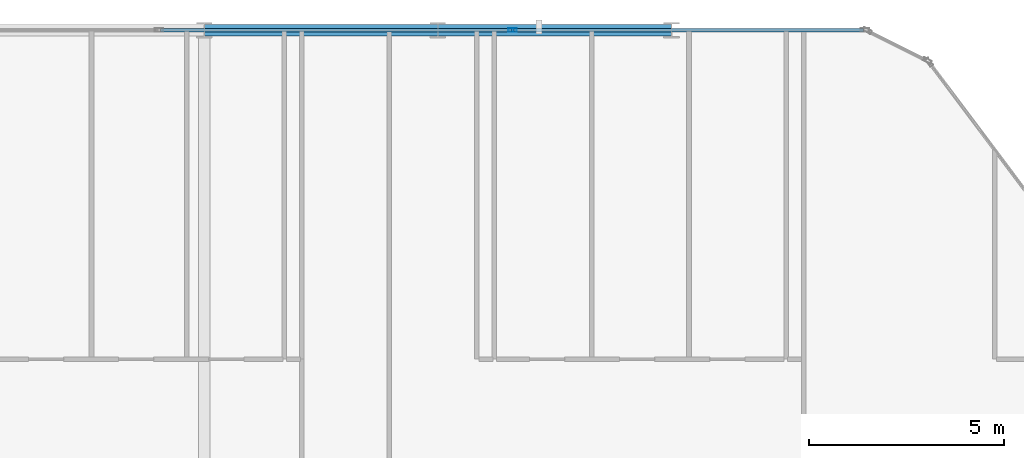
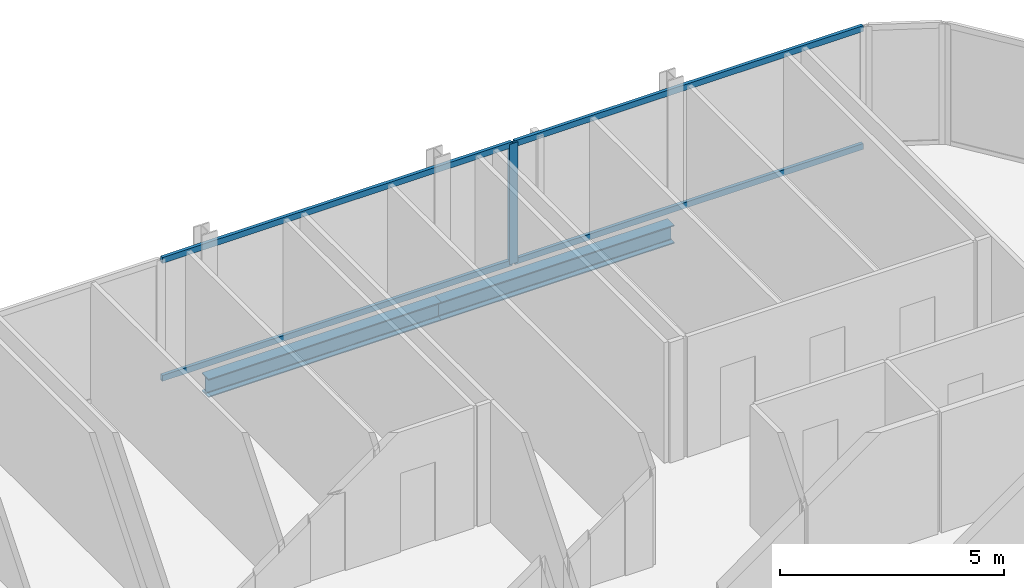
# One storey, part 16 of 34: 5 members, 2 beams, 1 element without a shape of its own.
"""IFC4 building model written with IfcOpenShell, lengths in metres."""

import ifcopenshell
import ifcopenshell.guid

model = None  # the IFC model being written
_history = None  # IfcOwnerHistory: only IFC2X3 demands one
_inside = {}  # id of a spatial element -> (the spatial element, [elements in it])
_under = {}  # id of a project, library or spatial element -> (it, [spatial elements below it])
_declared = {}  # id of a project -> (the project, [libraries it declares])
_typed = {}  # id of a type object -> (the type object, [elements of that type])
_made_of = {}  # id of a material, layer set ... -> (it, [elements and type objects made of it])


def new_model(schema):
    """Start an empty IFC model of exactly this schema.

    Asked for "IFC4X3", IfcOpenShell would pick the latest addendum, in which some entities
    have other attributes; the version numbers below select the first issue.
    IFC2X3 requires an IfcOwnerHistory on every rooted entity: one is made here for all.
    """
    global model, _history
    if schema == "IFC4X3":
        model = ifcopenshell.file(schema_version=(4, 3, 0, 0))
    else:
        model = ifcopenshell.file(schema=schema)
    _inside.clear()
    _under.clear()
    _declared.clear()
    _typed.clear()
    _made_of.clear()
    _history = None
    if model.schema == "IFC2X3":
        org = make("IfcOrganization", Name="unknown")
        user = make(
            "IfcPersonAndOrganization",
            ThePerson=make("IfcPerson", FamilyName="unknown"),
            TheOrganization=org,
        )
        app = make(
            "IfcApplication",
            ApplicationDeveloper=org,
            Version="unknown",
            ApplicationFullName="unknown",
            ApplicationIdentifier="unknown",
        )
        _history = make(
            "IfcOwnerHistory",
            OwningUser=user,
            OwningApplication=app,
            ChangeAction="ADDED",
            CreationDate=0,
        )
    return model


def make(cls, **values):
    """One entity of the class cls with the attributes given. An attribute that is None is left unset."""
    return model.create_entity(
        cls, **{name: value for name, value in values.items() if value is not None}
    )


def rooted(cls, **values):
    """An entity with a GlobalId (a new one), such as an element, a storey or a relation."""
    return make(cls, GlobalId=ifcopenshell.guid.new(), OwnerHistory=_history, **values)


def si_unit(unit_type, name, prefix=None):
    """IfcSIUnit, for example si_unit("LENGTHUNIT", "METRE", prefix="MILLI")."""
    return make("IfcSIUnit", UnitType=unit_type, Prefix=prefix, Name=name)


def assignment(units):
    """IfcUnitAssignment: the units of a project."""
    return None if units is None else make("IfcUnitAssignment", Units=units)


def point(xyz):
    """IfcCartesianPoint."""
    return None if xyz is None else make("IfcCartesianPoint", Coordinates=xyz)


def direction(xyz):
    """IfcDirection."""
    return None if xyz is None else make("IfcDirection", DirectionRatios=xyz)


def frame(location, z_axis=None, x_axis=None):
    """IfcAxis2Placement3D, a coordinate frame: its origin and axes. An axis left out is left unset."""
    return make(
        "IfcAxis2Placement3D",
        Location=point(location),
        Axis=direction(z_axis),
        RefDirection=direction(x_axis),
    )


def frame_2d(location, x_axis=None):
    """IfcAxis2Placement2D, a coordinate frame in the plane: its origin and x axis."""
    return make(
        "IfcAxis2Placement2D", Location=point(location), RefDirection=direction(x_axis)
    )


def origin():
    """The frame at (0, 0, 0) with its axes left unset."""
    return frame((0.0, 0.0, 0.0))


def origin_2d():
    """The frame at (0, 0) in the plane with its x axis left unset."""
    return frame_2d((0.0, 0.0))


def place(relative_to, where):
    """IfcLocalPlacement: puts the frame where relative to a parent placement (None: the world)."""
    return make(
        "IfcLocalPlacement", PlacementRelTo=relative_to, RelativePlacement=where
    )


def context(
    kind, dimensions, precision=None, world=None, true_north=None, identifier=None
):
    """IfcGeometricRepresentationContext, for example the 3D "Model" context."""
    return make(
        "IfcGeometricRepresentationContext",
        ContextIdentifier=identifier,
        ContextType=kind,
        CoordinateSpaceDimension=dimensions,
        Precision=precision,
        WorldCoordinateSystem=world,
        TrueNorth=true_north,
    )


def subcontext(parent, identifier, kind, view, scale=None):
    """IfcGeometricRepresentationSubContext, for example "Body" below "Model"."""
    return make(
        "IfcGeometricRepresentationSubContext",
        ContextIdentifier=identifier,
        ContextType=kind,
        ParentContext=parent,
        TargetScale=scale,
        TargetView=view,
    )


def project(units=None, contexts=None):
    """IfcProject with its units and contexts."""
    return rooted(
        "IfcProject",
        Name="project",
        RepresentationContexts=contexts,
        UnitsInContext=assignment(units),
    )


def spatial(cls, under=None, at=None, **own):
    """A site, building, storey or space (cls), placed at a placement, below another one or the project."""
    s = rooted(cls, ObjectPlacement=at, **own)
    if under is not None:
        _under.setdefault(under.id(), (under, []))[1].append(s)
    return s


def profile(cls, at=None, kind="AREA", **sizes):
    """A parametric profile (cls). Its sizes go by their IFC names, for example OverallWidth=200.0."""
    return make(cls, ProfileType=kind, Position=at, **sizes)


def hollow_rectangle(**sizes):
    """IfcRectangleHollowProfileDef."""
    return profile("IfcRectangleHollowProfileDef", **sizes)


def i_section(**sizes):
    """IfcIShapeProfileDef."""
    return profile("IfcIShapeProfileDef", **sizes)


def extrude(swept, where, along, depth):
    """IfcExtrudedAreaSolid: the profile swept, set in the frame where, extruded along a direction by depth."""
    return make(
        "IfcExtrudedAreaSolid",
        SweptArea=swept,
        Position=where,
        ExtrudedDirection=direction(along),
        Depth=depth,
    )


def shape(context_of_items, identifier, shape_type, items):
    """IfcShapeRepresentation: the items that make up one representation, for example the "Body"."""
    return make(
        "IfcShapeRepresentation",
        ContextOfItems=context_of_items,
        RepresentationIdentifier=identifier,
        RepresentationType=shape_type,
        Items=items,
    )


def material(Name=None, Category=None):
    """IfcMaterial."""
    return make("IfcMaterial", Name=Name, Category=Category)


def layer(
    of_material, thickness, ventilated=None, Name=None, Category=None, Priority=None
):
    """IfcMaterialLayer: one layer of a wall or slab, of a material (None: an air gap)."""
    return make(
        "IfcMaterialLayer",
        Material=of_material,
        LayerThickness=thickness,
        IsVentilated=ventilated,
        Name=Name,
        Category=Category,
        Priority=Priority,
    )


def layer_set(layers, Name=None):
    """IfcMaterialLayerSet."""
    return make("IfcMaterialLayerSet", MaterialLayers=layers, LayerSetName=Name)


def material_profile(
    of_material, cross_section, Name=None, Category=None, Priority=None
):
    """IfcMaterialProfile: a cross section and its material."""
    return make(
        "IfcMaterialProfile",
        Name=Name,
        Material=of_material,
        Profile=cross_section,
        Priority=Priority,
        Category=Category,
    )


def profile_set(profiles, Name=None, composite=None):
    """IfcMaterialProfileSet."""
    return make(
        "IfcMaterialProfileSet",
        Name=Name,
        MaterialProfiles=profiles,
        CompositeProfile=composite,
    )


def made_of(thing, what):
    """Note that an element or type object is made of a material, layer set ...; save() writes the relation."""
    if what is not None:
        _made_of.setdefault(what.id(), (what, []))[1].append(thing)
    return thing


def type_object(cls, material=None, **own):
    """A type object (cls), such as IfcWallType, which elements share."""
    return made_of(rooted(cls, **own), material)


def element(
    cls,
    number,
    at=None,
    inside=None,
    cuts=None,
    type_object=None,
    material=None,
    context=None,
    identifier="Body",
    shape_type=None,
    held_by="IfcProductDefinitionShape",
    body=None,
    shapes=None,
    **own,
):
    """One element of the class cls, such as IfcWall. Its Tag is "e" and its number.

    at: its placement. inside: the storey or other place that contains it. cuts: it is an
    opening in that element (IfcRelVoidsElement). A single representation is given by context,
    identifier, shape_type and body (its items); several are given by shapes. held_by: the class
    of the entity that holds the representations. save() writes the other relations.
    """
    e = rooted(cls, Tag="e%d" % number, ObjectPlacement=at, **own)
    if body is not None:
        shapes = [shape(context, identifier, shape_type, body)]
    if shapes is not None:
        e.Representation = make(held_by, Representations=shapes)
    if inside is not None:
        _inside.setdefault(inside.id(), (inside, []))[1].append(e)
    if cuts is not None:
        rooted(
            "IfcRelVoidsElement", RelatingBuildingElement=cuts, RelatedOpeningElement=e
        )
    if type_object is not None:
        _typed.setdefault(type_object.id(), (type_object, []))[1].append(e)
    return made_of(e, material)


def aggregate(whole, parts):
    """IfcRelAggregates: a whole, such as a stair, and the parts it consists of."""
    return rooted("IfcRelAggregates", RelatingObject=whole, RelatedObjects=parts)


def save(model, path):
    """Write the relations noted so far, then the file.

    IfcRelAggregates (storeys below a building ...), IfcRelContainedInSpatialStructure (elements
    in a storey), IfcRelDefinesByType, IfcRelAssociatesMaterial and IfcRelDeclares: one each for
    every whole, place, type object, material and project.
    """
    for whole, parts in _under.values():
        aggregate(whole, parts)
    for where, things in _inside.values():
        rooted(
            "IfcRelContainedInSpatialStructure",
            RelatedElements=things,
            RelatingStructure=where,
        )
    for kind, things in _typed.values():
        rooted("IfcRelDefinesByType", RelatedObjects=things, RelatingType=kind)
    for what, things in _made_of.values():
        rooted("IfcRelAssociatesMaterial", RelatedObjects=things, RelatingMaterial=what)
    for by, libraries in _declared.values():
        rooted("IfcRelDeclares", RelatingContext=by, RelatedDefinitions=libraries)
    model.write(path)


model = new_model("IFC4")

# Units and contexts
model_context = context("Model", 3, precision=1e-05, world=origin(), true_north=direction((0.0, 1.0)))
body_context = subcontext(model_context, "Body", "Model", "MODEL_VIEW")
ifc_project = project(units=[si_unit("LENGTHUNIT", "METRE"), si_unit("AREAUNIT", "SQUARE_METRE"), si_unit("VOLUMEUNIT", "CUBIC_METRE"), si_unit("PLANEANGLEUNIT", "RADIAN"), si_unit("MASSUNIT", "GRAM", prefix="KILO")], contexts=[model_context])

# Site, building, storey
site_placement = place(None, origin())
site = spatial("IfcSite", under=ifc_project, at=site_placement, CompositionType="ELEMENT")
building_placement = place(site_placement, origin())
building = spatial("IfcBuilding", under=site, at=building_placement, Name="Keshet Zoharim Tower", CompositionType="ELEMENT")
storey_placement = place(building_placement, frame((0.0, 0.0, 77.5)))
storey = spatial("IfcBuildingStorey", under=building, at=storey_placement, Name="L18", CompositionType="ELEMENT", Elevation=77.5)

# Beams
ifc_material_1 = material(Name="Steel S355", Category="steel")
ifc_material_profile_1 = material_profile(ifc_material_1, i_section(OverallWidth=0.300048828125, OverallDepth=0.5, WebThickness=0.014404296875, FlangeThickness=0.028076171875, FilletRadius=0.027099609375, at=origin_2d()), Name="HEB500")
ifc_profile_set_1 = profile_set([ifc_material_profile_1], Name="Steel S355")
beam_type = type_object("IfcBeamType", Name="BM-WEB-HB500", PredefinedType="BEAM", material=ifc_profile_set_1)
for number, where, z_axis, x_axis, name in (
    (1, (33.0, 53.89990234375, -0.56494140625), (1.0, 0.0, 0.0), (0.0, 1.0, 0.0), "L18 Primary Girder X-031"),
    (2, (39.0, 53.89990234375, -0.56494140625), (1.0, 0.0, 0.0), (0.0, 1.0, 0.0), "L18 Primary Girder X-032"),
):
    element("IfcBeam", number, at=place(storey_placement, frame(where, z_axis=z_axis, x_axis=x_axis)), inside=storey, type_object=beam_type, Name=name, PredefinedType="BEAM", context=body_context, shape_type="SweptSolid", body=[
        extrude(i_section(OverallWidth=0.300048828125, OverallDepth=0.5, WebThickness=0.014404296875, FlangeThickness=0.028076171875, FilletRadius=0.027099609375, at=origin_2d()), origin(), (0.0, 0.0, 1.0), 6.0),
    ])

# Curtain wall, members
ifc_material_2 = material(Name="Aluminium 6063-T6", Category="aluminium")
ifc_layer = layer(ifc_material_2, 0.169921875)
ifc_layer_set = layer_set([ifc_layer], Name="Aluminium 6063-T6")
curtain_wall_type = type_object("IfcCurtainWallType", Name="CW-SYS-02", PredefinedType="NOTDEFINED", material=ifc_layer_set)
curtain_wall_placement = place(storey_placement, origin())
curtain_wall = element("IfcCurtainWall", 3, at=curtain_wall_placement, inside=storey, type_object=curtain_wall_type, Name="L18 Unitised Curtain Wall 07 Part 3", PredefinedType="NOTDEFINED")
ifc_material_profile_2 = material_profile(ifc_material_2, hollow_rectangle(XDim=0.090087890625, YDim=0.219970703125, WallThickness=0.0048828125, at=origin_2d()), Name="MUL-90x220")
ifc_profile_set_2 = profile_set([ifc_material_profile_2], Name="Aluminium 6063-T6")
member_type_1 = type_object("IfcMemberType", Name="CWM-M22", PredefinedType="MULLION", material=ifc_profile_set_2)
member_1_placement = place(storey_placement, frame((40.920654296875, 53.89990234375, 0.0), z_axis=(0.0, 0.0, 1.0), x_axis=(0.0, 1.0, 0.0)))
member_1 = element("IfcMember", 4, at=member_1_placement, type_object=member_type_1, Name="CW-02 mullion 3", PredefinedType="MULLION", context=body_context, shape_type="SweptSolid", body=[
    extrude(hollow_rectangle(XDim=0.090087890625, YDim=0.219970703125, WallThickness=0.0048828125, at=origin_2d()), origin(), (0.0, 0.0, 1.0), 3.280029296875),
])
ifc_material_profile_3 = material_profile(ifc_material_2, hollow_rectangle(XDim=0.0849609375, YDim=0.159912109375, WallThickness=0.00439453125, at=origin_2d()), Name="TRN-85x160")
ifc_profile_set_3 = profile_set([ifc_material_profile_3], Name="Aluminium 6063-T6")
member_type_2 = type_object("IfcMemberType", Name="CWT-T16", PredefinedType="USERDEFINED", material=ifc_profile_set_3)
member_2_placement = place(storey_placement, frame((31.876220703125, 53.89990234375, 0.034912109375), z_axis=(1.0, 0.0, 0.0), x_axis=(0.0, 1.0, 0.0)))
member_2 = element("IfcMember", 5, at=member_2_placement, type_object=member_type_2, Name="CW-02 transom 2.1", ObjectType="TRANSOM", PredefinedType="USERDEFINED", context=body_context, shape_type="SweptSolid", body=[
    extrude(hollow_rectangle(XDim=0.0849609375, YDim=0.159912109375, WallThickness=0.00439453125, at=origin_2d()), origin(), (0.0, 0.0, 1.0), 9.00927734375),
])
member_3_placement = place(storey_placement, frame((31.876220703125, 53.89990234375, 3.2451171875), z_axis=(1.0, 0.0, 0.0), x_axis=(0.0, 1.0, 0.0)))
member_3 = element("IfcMember", 6, at=member_3_placement, type_object=member_type_2, Name="CW-02 transom 2.2", ObjectType="TRANSOM", PredefinedType="USERDEFINED", context=body_context, shape_type="SweptSolid", body=[
    extrude(hollow_rectangle(XDim=0.0849609375, YDim=0.159912109375, WallThickness=0.00439453125, at=origin_2d()), origin(), (0.0, 0.0, 1.0), 9.00927734375),
])
member_4_placement = place(storey_placement, frame((40.95556640625, 53.89990234375, 0.034912109375), z_axis=(1.0, 0.0, 0.0), x_axis=(0.0, 1.0, 0.0)))
member_4 = element("IfcMember", 7, at=member_4_placement, type_object=member_type_2, Name="CW-02 transom 3.1", ObjectType="TRANSOM", PredefinedType="USERDEFINED", context=body_context, shape_type="SweptSolid", body=[
    extrude(hollow_rectangle(XDim=0.0849609375, YDim=0.159912109375, WallThickness=0.00439453125, at=origin_2d()), origin(), (0.0, 0.0, 1.0), 8.974365234375),
])
member_5_placement = place(storey_placement, frame((40.95556640625, 53.89990234375, 3.2451171875), z_axis=(1.0, 0.0, 0.0), x_axis=(0.0, 1.0, 0.0)))
member_5 = element("IfcMember", 8, at=member_5_placement, type_object=member_type_2, Name="CW-02 transom 3.2", ObjectType="TRANSOM", PredefinedType="USERDEFINED", context=body_context, shape_type="SweptSolid", body=[
    extrude(hollow_rectangle(XDim=0.0849609375, YDim=0.159912109375, WallThickness=0.00439453125, at=origin_2d()), origin(), (0.0, 0.0, 1.0), 8.974365234375),
])
aggregate(curtain_wall, [member_1, member_2, member_3, member_4, member_5])

save(model, "model.ifc")
